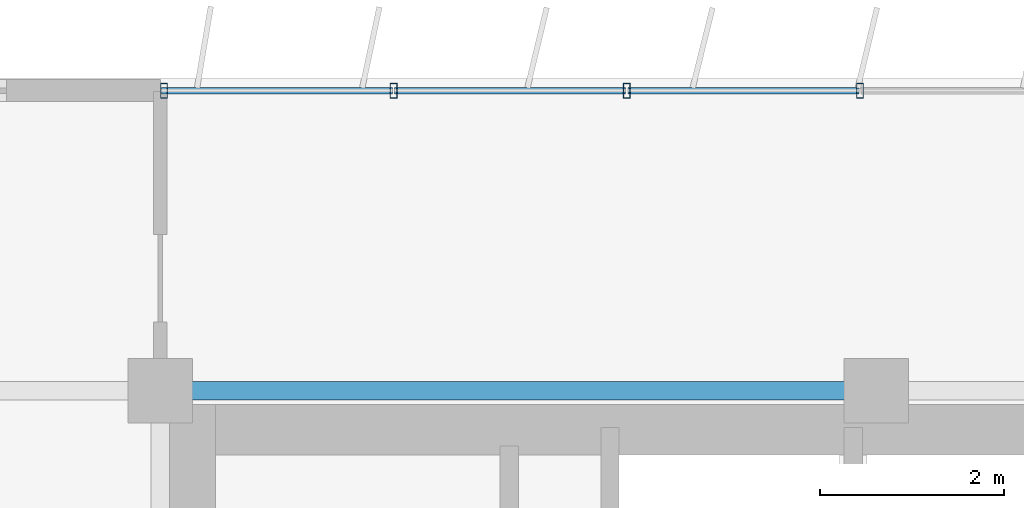
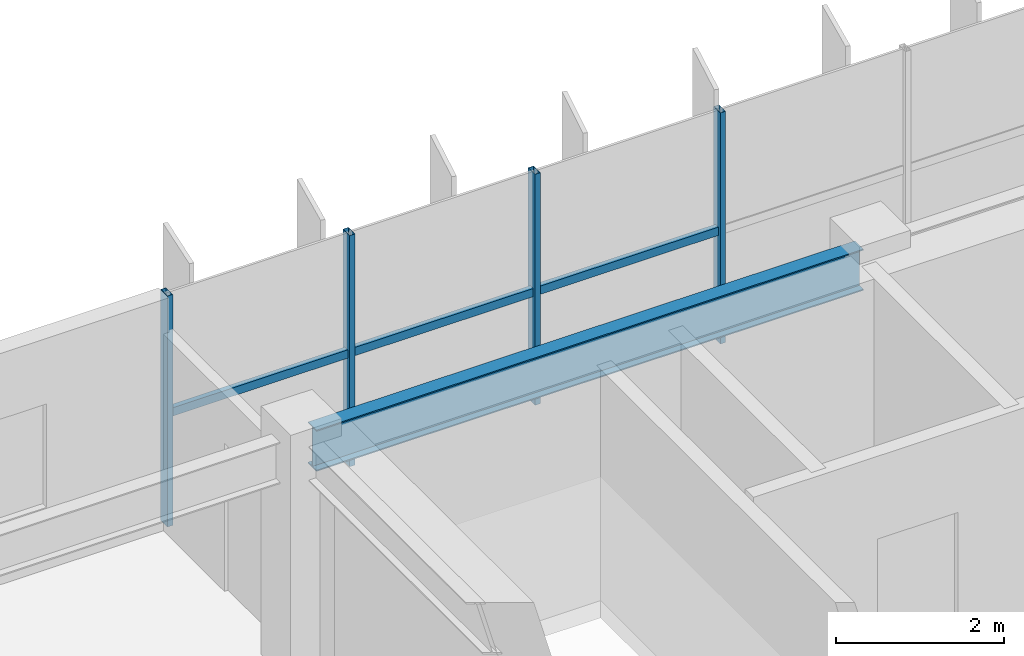
# One storey, part 4 of 20: 7 members, 1 beam, 1 element without a shape of its own.
"""IFC4 building model written with IfcOpenShell, lengths in metres."""

from ifc_helpers import new_model, si_unit, direction, frame, origin, origin_2d, place, context, subcontext, project, spatial, hollow_rectangle, i_section, extrude, source, transform, mapped, material, material_profile, profile_set, type_object, element, aggregate, save


model = new_model("IFC4")

# Units and contexts
model_context = context("Model", 3, precision=1e-05, world=origin(), true_north=direction((0.0, 1.0)))
body_context = subcontext(model_context, "Body", "Model", "MODEL_VIEW")
ifc_project = project(units=[si_unit("LENGTHUNIT", "METRE"), si_unit("AREAUNIT", "SQUARE_METRE"), si_unit("VOLUMEUNIT", "CUBIC_METRE"), si_unit("PLANEANGLEUNIT", "RADIAN"), si_unit("MASSUNIT", "GRAM", prefix="KILO")], contexts=[model_context])

# Site, building, storey
site_placement = place(None, origin())
site = spatial("IfcSite", under=ifc_project, at=site_placement, CompositionType="ELEMENT")
building_placement = place(site_placement, origin())
building = spatial("IfcBuilding", under=site, at=building_placement, Name="Trelvane Seafront Commons", CompositionType="ELEMENT")
storey_placement = place(building_placement, frame((0.0, 0.0, 142.89990234375)))
storey = spatial("IfcBuildingStorey", under=building, at=storey_placement, Name="L37", CompositionType="ELEMENT", Elevation=142.89990234375)

# Beam
ifc_material_1 = material(Name="Steel SM355 (S355)", Category="steel")
ifc_material_profile_1 = material_profile(ifc_material_1, i_section(OverallWidth=0.199951171875, OverallDepth=0.60009765625, WebThickness=0.010986328125, FlangeThickness=0.01708984375, at=origin_2d()), Name="H-600x200x11x17")
ifc_profile_set_1 = profile_set([ifc_material_profile_1], Name="Steel SM355 (S355)")
beam_type = type_object("IfcBeamType", Name="STR-SPD-H600", PredefinedType="SPANDREL", material=ifc_profile_set_1)
shared_shape_1 = source(origin(), body_context, "Body", "SweptSolid", [
    extrude(i_section(OverallWidth=0.199951171875, OverallDepth=0.60009765625, WebThickness=0.010986328125, FlangeThickness=0.01708984375, at=origin_2d()), origin(), (0.0, 0.0, 1.0), 7.5),
])
beam_placement = place(storey_placement, frame((15.75, 45.10009765625, 3.050048828125), z_axis=(1.0, 0.0, 0.0), x_axis=(0.0, 1.0, 0.0)))
element("IfcBeam", 1, at=beam_placement, inside=storey, type_object=beam_type, Name="L37 Primary Girder G-23", PredefinedType="SPANDREL", context=body_context, shape_type="MappedRepresentation", body=[
    mapped(shared_shape_1, transform((0.0, 0.0, 0.0), x_axis=(1.0, 0.0, 0.0), y_axis=(0.0, 1.0, 0.0), z_axis=(0.0, 0.0, 1.0), scale=1.0)),
])

# Curtain wall, members
ifc_material_2 = material(Name="Anodised pale-silver aluminium", Category="aluminium")
curtain_wall_type = type_object("IfcCurtainWallType", Name="ARCH-CW5-UPTOWER", PredefinedType="NOTDEFINED", material=ifc_material_2)
curtain_wall_placement = place(storey_placement, origin())
curtain_wall = element("IfcCurtainWall", 2, at=curtain_wall_placement, inside=storey, type_object=curtain_wall_type, Name="CW-L37-0064", PredefinedType="NOTDEFINED")
ifc_material_profile_2 = material_profile(ifc_material_2, hollow_rectangle(XDim=0.070068359375, YDim=0.1201171875, WallThickness=0.00390625, at=origin_2d()), Name="TRAN-70x120x4")
ifc_profile_set_2 = profile_set([ifc_material_profile_2], Name="Anodised pale-silver aluminium")
member_type_1 = type_object("IfcMemberType", Name="ARCH-CW-TRAN-120", PredefinedType="USERDEFINED", material=ifc_profile_set_2)
shared_shape_2 = source(origin(), body_context, "Body", "SweptSolid", [
    extrude(hollow_rectangle(XDim=0.070068359375, YDim=0.1201171875, WallThickness=0.00390625, at=origin_2d()), origin(), (0.0, 0.0, 1.0), 2.51708984375),
])
member_1_placement = place(storey_placement, frame((15.612060546875, 48.3701171875, 1.608154296875), z_axis=(1.0, 0.0, 0.0), x_axis=(0.0, 1.0, 0.0)))
member_1 = element("IfcMember", 3, at=member_1_placement, type_object=member_type_1, Name="CW-L37-0064-T00", ObjectType="TRANSOM", PredefinedType="USERDEFINED", context=body_context, shape_type="MappedRepresentation", body=[
    mapped(shared_shape_2, transform((0.0, 0.0, 0.0), x_axis=(1.0, 0.0, 0.0), y_axis=(0.0, 1.0, 0.0), z_axis=(0.0, 0.0, 1.0), scale=1.0)),
])
member_2_placement = place(storey_placement, frame((18.1533203125, 48.3701171875, 1.608154296875), z_axis=(1.0, 0.0, 0.0), x_axis=(0.0, 1.0, 0.0)))
member_2 = element("IfcMember", 4, at=member_2_placement, type_object=member_type_1, Name="CW-L37-0064-T01", ObjectType="TRANSOM", PredefinedType="USERDEFINED", context=body_context, shape_type="MappedRepresentation", body=[
    mapped(shared_shape_2, transform((0.0, 0.0, 0.0), x_axis=(1.0, 0.0, 0.0), y_axis=(0.0, 1.0, 0.0), z_axis=(0.0, 0.0, 1.0), scale=1.0)),
])
member_3_placement = place(storey_placement, frame((20.6943359375, 48.3701171875, 1.608154296875), z_axis=(1.0, 0.0, 0.0), x_axis=(0.0, 1.0, 0.0)))
member_3 = element("IfcMember", 5, at=member_3_placement, type_object=member_type_1, Name="CW-L37-0064-T02", ObjectType="TRANSOM", PredefinedType="USERDEFINED", context=body_context, shape_type="MappedRepresentation", body=[
    mapped(shared_shape_2, transform((0.0, 0.0, 0.0), x_axis=(1.0, 0.0, 0.0), y_axis=(0.0, 1.0, 0.0), z_axis=(0.0, 0.0, 1.0), scale=1.0)),
])
ifc_material_profile_3 = material_profile(ifc_material_2, hollow_rectangle(XDim=0.074951171875, YDim=0.159912109375, WallThickness=0.00390625, at=origin_2d()), Name="MULL-75x160x4")
ifc_profile_set_3 = profile_set([ifc_material_profile_3], Name="Anodised pale-silver aluminium")
member_type_2 = type_object("IfcMemberType", Name="ARCH-CW-MULL-160", PredefinedType="MULLION", material=ifc_profile_set_3)
shared_shape_3 = source(origin(), body_context, "Body", "SweptSolid", [
    extrude(hollow_rectangle(XDim=0.074951171875, YDim=0.159912109375, WallThickness=0.00390625, at=origin_2d()), origin(), (0.0, 0.0, 1.0), 3.35009765625),
])
member_4_placement = place(storey_placement, frame((15.639892578125, 48.3701171875, 0.0), z_axis=(0.0, 0.0, 1.0), x_axis=(1.0, 0.0, 0.0)))
member_4 = element("IfcMember", 6, at=member_4_placement, type_object=member_type_2, Name="CW-L37-0064-M00", PredefinedType="MULLION", context=body_context, shape_type="MappedRepresentation", body=[
    mapped(shared_shape_3, transform((0.0, 0.0, 0.0), x_axis=(1.0, 0.0, 0.0), y_axis=(0.0, 1.0, 0.0), z_axis=(0.0, 0.0, 1.0), scale=1.0)),
])
member_5_placement = place(storey_placement, frame((18.14111328125, 48.3701171875, 0.0), z_axis=(0.0, 0.0, 1.0), x_axis=(1.0, 0.0, 0.0)))
member_5 = element("IfcMember", 7, at=member_5_placement, type_object=member_type_2, Name="CW-L37-0064-M01", PredefinedType="MULLION", context=body_context, shape_type="MappedRepresentation", body=[
    mapped(shared_shape_3, transform((0.0, 0.0, 0.0), x_axis=(1.0, 0.0, 0.0), y_axis=(0.0, 1.0, 0.0), z_axis=(0.0, 0.0, 1.0), scale=1.0)),
])
member_6_placement = place(storey_placement, frame((20.682373046875, 48.3701171875, 0.0), z_axis=(0.0, 0.0, 1.0), x_axis=(1.0, 0.0, 0.0)))
member_6 = element("IfcMember", 8, at=member_6_placement, type_object=member_type_2, Name="CW-L37-0064-M02", PredefinedType="MULLION", context=body_context, shape_type="MappedRepresentation", body=[
    mapped(shared_shape_3, transform((0.0, 0.0, 0.0), x_axis=(1.0, 0.0, 0.0), y_axis=(0.0, 1.0, 0.0), z_axis=(0.0, 0.0, 1.0), scale=1.0)),
])
member_7_placement = place(storey_placement, frame((23.223388671875, 48.3701171875, 0.0), z_axis=(0.0, 0.0, 1.0), x_axis=(1.0, 0.0, 0.0)))
member_7 = element("IfcMember", 9, at=member_7_placement, type_object=member_type_2, Name="CW-L37-0064-M03", PredefinedType="MULLION", context=body_context, shape_type="MappedRepresentation", body=[
    mapped(shared_shape_3, transform((0.0, 0.0, 0.0), x_axis=(1.0, 0.0, 0.0), y_axis=(0.0, 1.0, 0.0), z_axis=(0.0, 0.0, 1.0), scale=1.0)),
])
aggregate(curtain_wall, [member_4, member_5, member_6, member_7, member_1, member_2, member_3])

save(model, "model.ifc")
